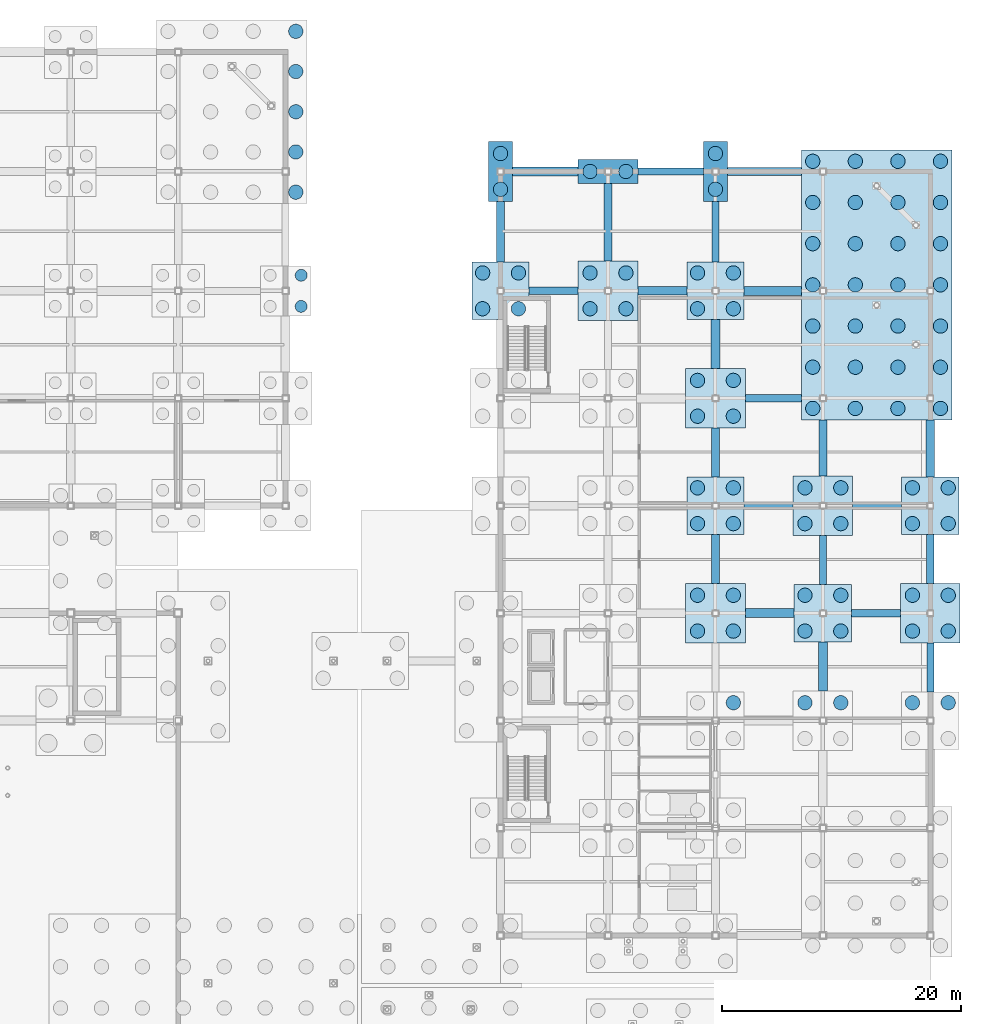
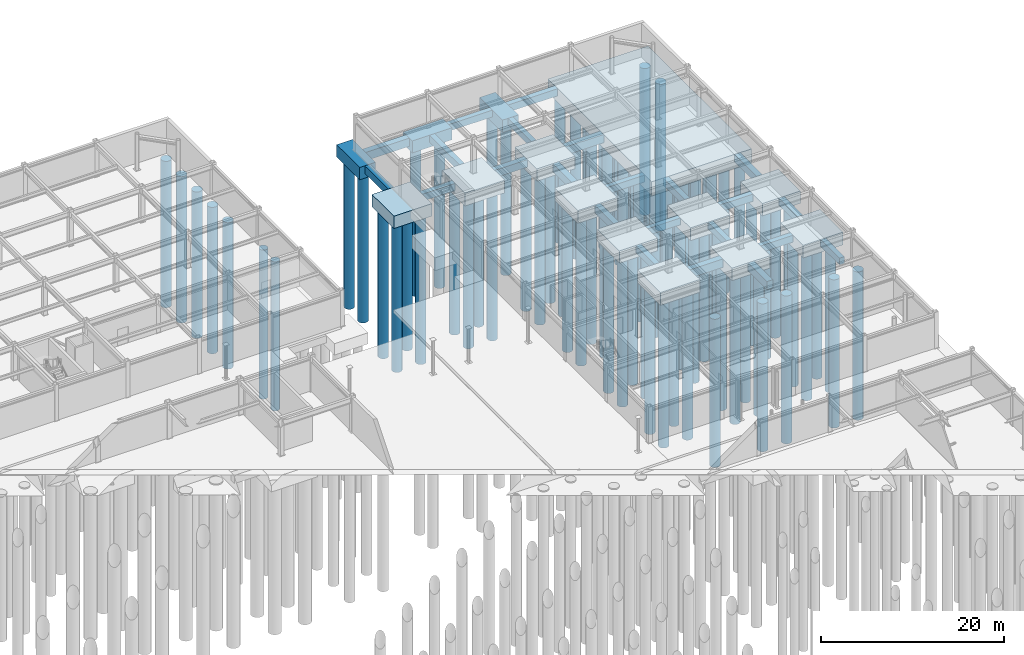
# One storey, part 11 of 74: 86 piles, 37 footings.
"""IFC4 building model written with IfcOpenShell, lengths in metres."""

from ifc_helpers import new_model, si_unit, direction, frame, origin, origin_2d, place, context, subcontext, project, spatial, polyline, rectangle, circle, outline, extrude, material, material_profile, profile_set, type_object, element, save


model = new_model("IFC4")

# Units and contexts
model_context = context("Model", 3, precision=1e-05, world=origin(), true_north=direction((0.0, 1.0)))
body_context = subcontext(model_context, "Body", "Model", "MODEL_VIEW")
ifc_project = project(units=[si_unit("LENGTHUNIT", "METRE"), si_unit("AREAUNIT", "SQUARE_METRE"), si_unit("VOLUMEUNIT", "CUBIC_METRE"), si_unit("PLANEANGLEUNIT", "RADIAN"), si_unit("MASSUNIT", "GRAM", prefix="KILO")], contexts=[model_context])

# Site, building, storey
site_placement = place(None, origin())
site = spatial("IfcSite", under=ifc_project, at=site_placement, CompositionType="ELEMENT")
building_placement = place(site_placement, origin())
building = spatial("IfcBuilding", under=site, at=building_placement, Name="Suzunagisa Mobility Hub", CompositionType="ELEMENT")
storey_placement = place(building_placement, frame((0.0, 0.0, -4.800048828125)))
storey = spatial("IfcBuildingStorey", under=building, at=storey_placement, Name="B1", CompositionType="ELEMENT", Elevation=-4.800048828125)

# Piles
ifc_material_1 = material(Name="Concrete C30/37", Category="concrete")
ifc_material_profile_1 = material_profile(ifc_material_1, circle(Radius=0.60009765625, at=origin_2d()), Name="BORED PILE D1200")
ifc_profile_set_1 = profile_set([ifc_material_profile_1], Name="Concrete C30/37")
pile_type_1 = type_object("IfcPileType", Name="Bored Pile PL-01 D1200", PredefinedType="BORED", material=ifc_profile_set_1)
for number, where, z_axis, x_axis, name in (
    (1, (126.85009765625, 106.264892578125, -2.199951171875), (0.0, 0.0, -1.0), (1.0, 0.0, 0.0), "Bored Pile 93.16"),
    (2, (126.85009765625, 109.632568359375, -2.199951171875), (0.0, 0.0, -1.0), (1.0, 0.0, 0.0), "Bored Pile 93.17"),
    (3, (126.85009765625, 113.0, -2.199951171875), (0.0, 0.0, -1.0), (1.0, 0.0, 0.0), "Bored Pile 93.18"),
    (4, (126.85009765625, 116.367431640625, -2.199951171875), (0.0, 0.0, -1.0), (1.0, 0.0, 0.0), "Bored Pile 93.19"),
    (5, (126.85009765625, 119.735107421875, -2.199951171875), (0.0, 0.0, -1.0), (1.0, 0.0, 0.0), "Bored Pile 93.20"),
):
    element("IfcPile", number, at=place(storey_placement, frame(where, z_axis=z_axis, x_axis=x_axis)), inside=storey, type_object=pile_type_1, Name=name, PredefinedType="BORED", context=body_context, shape_type="SweptSolid", body=[
        extrude(circle(Radius=0.60009765625, at=origin_2d()), origin(), (0.0, 0.0, 1.0), 19.5),
    ])
for number, where, z_axis, x_axis, name in (
    (6, (142.5, 96.5, -1.949951171875), (0.0, 0.0, -1.0), (1.0, 0.0, 0.0), "Bored Pile 107.1"),
    (7, (145.5, 96.5, -1.949951171875), (0.0, 0.0, -1.0), (1.0, 0.0, 0.0), "Bored Pile 107.2"),
    (8, (142.5, 99.5, -1.949951171875), (0.0, 0.0, -1.0), (1.0, 0.0, 0.0), "Bored Pile 107.3"),
    (9, (145.5, 99.5, -1.949951171875), (0.0, 0.0, -1.0), (1.0, 0.0, 0.0), "Bored Pile 107.4"),
    (10, (144.0, 106.5, -1.949951171875), (0.0, 0.0, -1.0), (1.0, 0.0, 0.0), "Bored Pile 108.1"),
    (11, (144.0, 109.5, -1.949951171875), (0.0, 0.0, -1.0), (1.0, 0.0, 0.0), "Bored Pile 108.2"),
):
    element("IfcPile", number, at=place(storey_placement, frame(where, z_axis=z_axis, x_axis=x_axis)), inside=storey, type_object=pile_type_1, Name=name, PredefinedType="BORED", context=body_context, shape_type="SweptSolid", body=[
        extrude(circle(Radius=0.60009765625, at=origin_2d()), origin(), (0.0, 0.0, 1.0), 19.75),
    ])
for number, where, z_axis, x_axis, name in (
    (12, (151.5, 96.5, -2.0), (0.0, 0.0, -1.0), (1.0, 0.0, 0.0), "Bored Pile 120.1"),
    (13, (154.5, 96.5, -2.0), (0.0, 0.0, -1.0), (1.0, 0.0, 0.0), "Bored Pile 120.2"),
    (14, (151.5, 99.5, -2.0), (0.0, 0.0, -1.0), (1.0, 0.0, 0.0), "Bored Pile 120.3"),
    (15, (154.5, 99.5, -2.0), (0.0, 0.0, -1.0), (1.0, 0.0, 0.0), "Bored Pile 120.4"),
):
    element("IfcPile", number, at=place(storey_placement, frame(where, z_axis=z_axis, x_axis=x_axis)), inside=storey, type_object=pile_type_1, Name=name, PredefinedType="BORED", context=body_context, shape_type="SweptSolid", body=[
        extrude(circle(Radius=0.60009765625, at=origin_2d()), origin(), (0.0, 0.0, 1.0), 19.699951171875),
    ])
for number, where, z_axis, x_axis, name in (
    (16, (151.5, 108.0, -1.89990234375), (0.0, 0.0, -1.0), (1.0, 0.0, 0.0), "Bored Pile 121.1"),
    (17, (154.5, 108.0, -1.89990234375), (0.0, 0.0, -1.0), (1.0, 0.0, 0.0), "Bored Pile 121.2"),
):
    element("IfcPile", number, at=place(storey_placement, frame(where, z_axis=z_axis, x_axis=x_axis)), inside=storey, type_object=pile_type_1, Name=name, PredefinedType="BORED", context=body_context, shape_type="SweptSolid", body=[
        extrude(circle(Radius=0.60009765625, at=origin_2d()), origin(), (0.0, 0.0, 1.0), 19.800048828125),
    ])
pile_placement = place(storey_placement, frame((163.5, 63.5, -1.949951171875), z_axis=(0.0, 0.0, -1.0), x_axis=(1.0, 0.0, 0.0)))
element("IfcPile", 18, at=pile_placement, inside=storey, type_object=pile_type_1, Name="Bored Pile 127.4", PredefinedType="BORED", context=body_context, shape_type="SweptSolid", body=[
    extrude(circle(Radius=0.60009765625, at=origin_2d()), origin(), (0.0, 0.0, 1.0), 19.75),
])
for number, where, z_axis, x_axis, name in (
    (19, (160.5, 69.5, -2.0), (0.0, 0.0, -1.0), (1.0, 0.0, 0.0), "Bored Pile 128.1"),
    (20, (163.5, 69.5, -2.0), (0.0, 0.0, -1.0), (1.0, 0.0, 0.0), "Bored Pile 128.2"),
    (21, (160.5, 72.5, -2.0), (0.0, 0.0, -1.0), (1.0, 0.0, 0.0), "Bored Pile 128.3"),
    (22, (163.5, 72.5, -2.0), (0.0, 0.0, -1.0), (1.0, 0.0, 0.0), "Bored Pile 128.4"),
):
    element("IfcPile", number, at=place(storey_placement, frame(where, z_axis=z_axis, x_axis=x_axis)), inside=storey, type_object=pile_type_1, Name=name, PredefinedType="BORED", context=body_context, shape_type="SweptSolid", body=[
        extrude(circle(Radius=0.60009765625, at=origin_2d()), origin(), (0.0, 0.0, 1.0), 19.699951171875),
    ])
for number, where, z_axis, x_axis, name in (
    (23, (160.5, 78.5, -1.949951171875), (0.0, 0.0, -1.0), (1.0, 0.0, 0.0), "Bored Pile 129.1"),
    (24, (163.5, 78.5, -1.949951171875), (0.0, 0.0, -1.0), (1.0, 0.0, 0.0), "Bored Pile 129.2"),
    (25, (160.5, 81.5, -1.949951171875), (0.0, 0.0, -1.0), (1.0, 0.0, 0.0), "Bored Pile 129.3"),
    (26, (163.5, 81.5, -1.949951171875), (0.0, 0.0, -1.0), (1.0, 0.0, 0.0), "Bored Pile 129.4"),
):
    element("IfcPile", number, at=place(storey_placement, frame(where, z_axis=z_axis, x_axis=x_axis)), inside=storey, type_object=pile_type_1, Name=name, PredefinedType="BORED", context=body_context, shape_type="SweptSolid", body=[
        extrude(circle(Radius=0.60009765625, at=origin_2d()), origin(), (0.0, 0.0, 1.0), 19.75),
    ])
for number, where, z_axis, x_axis, name in (
    (27, (160.5, 87.5, -2.0), (0.0, 0.0, -1.0), (1.0, 0.0, 0.0), "Bored Pile 130.1"),
    (28, (163.5, 87.5, -2.0), (0.0, 0.0, -1.0), (1.0, 0.0, 0.0), "Bored Pile 130.2"),
    (29, (160.5, 90.5, -2.0), (0.0, 0.0, -1.0), (1.0, 0.0, 0.0), "Bored Pile 130.3"),
    (30, (163.5, 90.5, -2.0), (0.0, 0.0, -1.0), (1.0, 0.0, 0.0), "Bored Pile 130.4"),
):
    element("IfcPile", number, at=place(storey_placement, frame(where, z_axis=z_axis, x_axis=x_axis)), inside=storey, type_object=pile_type_1, Name=name, PredefinedType="BORED", context=body_context, shape_type="SweptSolid", body=[
        extrude(circle(Radius=0.60009765625, at=origin_2d()), origin(), (0.0, 0.0, 1.0), 19.699951171875),
    ])
for number, where, z_axis, x_axis, name in (
    (31, (160.5, 96.5, -1.949951171875), (0.0, 0.0, -1.0), (1.0, 0.0, 0.0), "Bored Pile 131.1"),
    (32, (163.5, 96.5, -1.949951171875), (0.0, 0.0, -1.0), (1.0, 0.0, 0.0), "Bored Pile 131.2"),
    (33, (160.5, 99.5, -1.949951171875), (0.0, 0.0, -1.0), (1.0, 0.0, 0.0), "Bored Pile 131.3"),
    (34, (163.5, 99.5, -1.949951171875), (0.0, 0.0, -1.0), (1.0, 0.0, 0.0), "Bored Pile 131.4"),
    (35, (162.0, 106.5, -1.949951171875), (0.0, 0.0, -1.0), (1.0, 0.0, 0.0), "Bored Pile 132.1"),
    (36, (162.0, 109.5, -1.949951171875), (0.0, 0.0, -1.0), (1.0, 0.0, 0.0), "Bored Pile 132.2"),
):
    element("IfcPile", number, at=place(storey_placement, frame(where, z_axis=z_axis, x_axis=x_axis)), inside=storey, type_object=pile_type_1, Name=name, PredefinedType="BORED", context=body_context, shape_type="SweptSolid", body=[
        extrude(circle(Radius=0.60009765625, at=origin_2d()), origin(), (0.0, 0.0, 1.0), 19.75),
    ])
for number, where, z_axis, x_axis, name in (
    (37, (169.5, 63.5, -2.0), (0.0, 0.0, -1.0), (1.0, 0.0, 0.0), "Bored Pile 136.3"),
    (38, (172.5, 63.5, -2.0), (0.0, 0.0, -1.0), (1.0, 0.0, 0.0), "Bored Pile 136.4"),
):
    element("IfcPile", number, at=place(storey_placement, frame(where, z_axis=z_axis, x_axis=x_axis)), inside=storey, type_object=pile_type_1, Name=name, PredefinedType="BORED", context=body_context, shape_type="SweptSolid", body=[
        extrude(circle(Radius=0.60009765625, at=origin_2d()), origin(), (0.0, 0.0, 1.0), 19.699951171875),
    ])
for number, where, z_axis, x_axis, name in (
    (39, (169.5, 69.5, -1.949951171875), (0.0, 0.0, -1.0), (1.0, 0.0, 0.0), "Bored Pile 137.1"),
    (40, (172.5, 69.5, -1.949951171875), (0.0, 0.0, -1.0), (1.0, 0.0, 0.0), "Bored Pile 137.2"),
    (41, (169.5, 72.5, -1.949951171875), (0.0, 0.0, -1.0), (1.0, 0.0, 0.0), "Bored Pile 137.3"),
    (42, (172.5, 72.5, -1.949951171875), (0.0, 0.0, -1.0), (1.0, 0.0, 0.0), "Bored Pile 137.4"),
):
    element("IfcPile", number, at=place(storey_placement, frame(where, z_axis=z_axis, x_axis=x_axis)), inside=storey, type_object=pile_type_1, Name=name, PredefinedType="BORED", context=body_context, shape_type="SweptSolid", body=[
        extrude(circle(Radius=0.60009765625, at=origin_2d()), origin(), (0.0, 0.0, 1.0), 19.75),
    ])
for number, where, z_axis, x_axis, name in (
    (43, (169.5, 78.5, -2.0), (0.0, 0.0, -1.0), (1.0, 0.0, 0.0), "Bored Pile 138.1"),
    (44, (172.5, 78.5, -2.0), (0.0, 0.0, -1.0), (1.0, 0.0, 0.0), "Bored Pile 138.2"),
    (45, (169.5, 81.5, -2.0), (0.0, 0.0, -1.0), (1.0, 0.0, 0.0), "Bored Pile 138.3"),
    (46, (172.5, 81.5, -2.0), (0.0, 0.0, -1.0), (1.0, 0.0, 0.0), "Bored Pile 138.4"),
):
    element("IfcPile", number, at=place(storey_placement, frame(where, z_axis=z_axis, x_axis=x_axis)), inside=storey, type_object=pile_type_1, Name=name, PredefinedType="BORED", context=body_context, shape_type="SweptSolid", body=[
        extrude(circle(Radius=0.60009765625, at=origin_2d()), origin(), (0.0, 0.0, 1.0), 19.699951171875),
    ])
for number, where, z_axis, x_axis, name in (
    (47, (170.14990234375, 88.14990234375, -2.14990234375), (0.0, 0.0, -1.0), (1.0, 0.0, 0.0), "Bored Pile 139.1"),
    (48, (170.14990234375, 91.60009765625, -2.14990234375), (0.0, 0.0, -1.0), (1.0, 0.0, 0.0), "Bored Pile 139.2"),
    (49, (170.14990234375, 95.050048828125, -2.14990234375), (0.0, 0.0, -1.0), (1.0, 0.0, 0.0), "Bored Pile 139.3"),
    (50, (170.14990234375, 98.5, -2.14990234375), (0.0, 0.0, -1.0), (1.0, 0.0, 0.0), "Bored Pile 139.4"),
    (51, (170.14990234375, 101.949951171875, -2.14990234375), (0.0, 0.0, -1.0), (1.0, 0.0, 0.0), "Bored Pile 139.5"),
    (52, (170.14990234375, 105.39990234375, -2.14990234375), (0.0, 0.0, -1.0), (1.0, 0.0, 0.0), "Bored Pile 139.6"),
    (53, (170.14990234375, 108.85009765625, -2.14990234375), (0.0, 0.0, -1.0), (1.0, 0.0, 0.0), "Bored Pile 139.7"),
    (54, (173.716796875, 88.14990234375, -2.14990234375), (0.0, 0.0, -1.0), (1.0, 0.0, 0.0), "Bored Pile 139.8"),
    (55, (173.716796875, 91.60009765625, -2.14990234375), (0.0, 0.0, -1.0), (1.0, 0.0, 0.0), "Bored Pile 139.9"),
    (56, (173.716796875, 95.050048828125, -2.14990234375), (0.0, 0.0, -1.0), (1.0, 0.0, 0.0), "Bored Pile 139.10"),
    (57, (173.716796875, 98.5, -2.14990234375), (0.0, 0.0, -1.0), (1.0, 0.0, 0.0), "Bored Pile 139.11"),
    (58, (173.716796875, 101.949951171875, -2.14990234375), (0.0, 0.0, -1.0), (1.0, 0.0, 0.0), "Bored Pile 139.12"),
    (59, (173.716796875, 105.39990234375, -2.14990234375), (0.0, 0.0, -1.0), (1.0, 0.0, 0.0), "Bored Pile 139.13"),
    (60, (173.716796875, 108.85009765625, -2.14990234375), (0.0, 0.0, -1.0), (1.0, 0.0, 0.0), "Bored Pile 139.14"),
    (61, (177.283203125, 88.14990234375, -2.14990234375), (0.0, 0.0, -1.0), (1.0, 0.0, 0.0), "Bored Pile 139.15"),
    (62, (177.283203125, 91.60009765625, -2.14990234375), (0.0, 0.0, -1.0), (1.0, 0.0, 0.0), "Bored Pile 139.16"),
    (63, (177.283203125, 95.050048828125, -2.14990234375), (0.0, 0.0, -1.0), (1.0, 0.0, 0.0), "Bored Pile 139.17"),
    (64, (177.283203125, 98.5, -2.14990234375), (0.0, 0.0, -1.0), (1.0, 0.0, 0.0), "Bored Pile 139.18"),
    (65, (177.283203125, 101.949951171875, -2.14990234375), (0.0, 0.0, -1.0), (1.0, 0.0, 0.0), "Bored Pile 139.19"),
    (66, (177.283203125, 105.39990234375, -2.14990234375), (0.0, 0.0, -1.0), (1.0, 0.0, 0.0), "Bored Pile 139.20"),
    (67, (177.283203125, 108.85009765625, -2.14990234375), (0.0, 0.0, -1.0), (1.0, 0.0, 0.0), "Bored Pile 139.21"),
    (68, (180.85009765625, 88.14990234375, -2.14990234375), (0.0, 0.0, -1.0), (1.0, 0.0, 0.0), "Bored Pile 139.22"),
    (69, (180.85009765625, 91.60009765625, -2.14990234375), (0.0, 0.0, -1.0), (1.0, 0.0, 0.0), "Bored Pile 139.23"),
    (70, (180.85009765625, 95.050048828125, -2.14990234375), (0.0, 0.0, -1.0), (1.0, 0.0, 0.0), "Bored Pile 139.24"),
    (71, (180.85009765625, 98.5, -2.14990234375), (0.0, 0.0, -1.0), (1.0, 0.0, 0.0), "Bored Pile 139.25"),
    (72, (180.85009765625, 101.949951171875, -2.14990234375), (0.0, 0.0, -1.0), (1.0, 0.0, 0.0), "Bored Pile 139.26"),
    (73, (180.85009765625, 105.39990234375, -2.14990234375), (0.0, 0.0, -1.0), (1.0, 0.0, 0.0), "Bored Pile 139.27"),
    (74, (180.85009765625, 108.85009765625, -2.14990234375), (0.0, 0.0, -1.0), (1.0, 0.0, 0.0), "Bored Pile 139.28"),
):
    element("IfcPile", number, at=place(storey_placement, frame(where, z_axis=z_axis, x_axis=x_axis)), inside=storey, type_object=pile_type_1, Name=name, PredefinedType="BORED", context=body_context, shape_type="SweptSolid", body=[
        extrude(circle(Radius=0.60009765625, at=origin_2d()), origin(), (0.0, 0.0, 1.0), 19.550048828125),
    ])
for number, where, z_axis, x_axis, name in (
    (75, (178.5, 63.5, -1.949951171875), (0.0, 0.0, -1.0), (1.0, 0.0, 0.0), "Bored Pile 141.3"),
    (76, (181.5, 63.5, -1.949951171875), (0.0, 0.0, -1.0), (1.0, 0.0, 0.0), "Bored Pile 141.4"),
):
    element("IfcPile", number, at=place(storey_placement, frame(where, z_axis=z_axis, x_axis=x_axis)), inside=storey, type_object=pile_type_1, Name=name, PredefinedType="BORED", context=body_context, shape_type="SweptSolid", body=[
        extrude(circle(Radius=0.60009765625, at=origin_2d()), origin(), (0.0, 0.0, 1.0), 19.75),
    ])
for number, where, z_axis, x_axis, name in (
    (77, (178.5, 69.5, -2.0), (0.0, 0.0, -1.0), (1.0, 0.0, 0.0), "Bored Pile 142.1"),
    (78, (181.5, 69.5, -2.0), (0.0, 0.0, -1.0), (1.0, 0.0, 0.0), "Bored Pile 142.2"),
    (79, (178.5, 72.5, -2.0), (0.0, 0.0, -1.0), (1.0, 0.0, 0.0), "Bored Pile 142.3"),
    (80, (181.5, 72.5, -2.0), (0.0, 0.0, -1.0), (1.0, 0.0, 0.0), "Bored Pile 142.4"),
):
    element("IfcPile", number, at=place(storey_placement, frame(where, z_axis=z_axis, x_axis=x_axis)), inside=storey, type_object=pile_type_1, Name=name, PredefinedType="BORED", context=body_context, shape_type="SweptSolid", body=[
        extrude(circle(Radius=0.60009765625, at=origin_2d()), origin(), (0.0, 0.0, 1.0), 19.699951171875),
    ])
for number, where, z_axis, x_axis, name in (
    (81, (178.5, 78.5, -1.949951171875), (0.0, 0.0, -1.0), (1.0, 0.0, 0.0), "Bored Pile 143.1"),
    (82, (181.5, 78.5, -1.949951171875), (0.0, 0.0, -1.0), (1.0, 0.0, 0.0), "Bored Pile 143.2"),
    (83, (178.5, 81.5, -1.949951171875), (0.0, 0.0, -1.0), (1.0, 0.0, 0.0), "Bored Pile 143.3"),
    (84, (181.5, 81.5, -1.949951171875), (0.0, 0.0, -1.0), (1.0, 0.0, 0.0), "Bored Pile 143.4"),
):
    element("IfcPile", number, at=place(storey_placement, frame(where, z_axis=z_axis, x_axis=x_axis)), inside=storey, type_object=pile_type_1, Name=name, PredefinedType="BORED", context=body_context, shape_type="SweptSolid", body=[
        extrude(circle(Radius=0.60009765625, at=origin_2d()), origin(), (0.0, 0.0, 1.0), 19.75),
    ])
ifc_material_profile_2 = material_profile(ifc_material_1, circle(Radius=0.5, at=origin_2d()), Name="BORED PILE D1000")
ifc_profile_set_2 = profile_set([ifc_material_profile_2], Name="Concrete C30/37")
pile_type_2 = type_object("IfcPileType", Name="Bored Pile PL-02 D1000", PredefinedType="BORED", material=ifc_profile_set_2)
for number, where, z_axis, x_axis, name in (
    (85, (127.300048828125, 96.699951171875, -1.849853515625), (0.0, 0.0, -1.0), (1.0, 0.0, 0.0), "Bored Pile 97.2"),
    (86, (127.300048828125, 99.300048828125, -1.849853515625), (0.0, 0.0, -1.0), (1.0, 0.0, 0.0), "Bored Pile 97.4"),
):
    element("IfcPile", number, at=place(storey_placement, frame(where, z_axis=z_axis, x_axis=x_axis)), inside=storey, type_object=pile_type_2, Name=name, PredefinedType="BORED", context=body_context, shape_type="SweptSolid", body=[
        extrude(circle(Radius=0.5, at=origin_2d()), origin(), (0.0, 0.0, 1.0), 19.85009765625),
    ])

# Footings
ifc_material_2 = material(Name="Concrete C35/45", Category="concrete")
footing_type_1 = type_object("IfcFootingType", Name="Combined Prow Pile Cap FR-25 12600x22600x1850", PredefinedType="PILE_CAP", material=ifc_material_2)
footing_1_placement = place(storey_placement, frame((175.5, 98.5, -2.300048828125), z_axis=(0.0, 0.0, 1.0), x_axis=(1.0, 0.0, 0.0)))
element("IfcFooting", 87, at=footing_1_placement, inside=storey, type_object=footing_type_1, Name="Combined Prow Pile Cap 139", PredefinedType="PILE_CAP", context=body_context, shape_type="SweptSolid", body=[
    extrude(rectangle(XDim=12.60009765625, YDim=22.60009765625, at=origin_2d()), origin(), (0.0, 0.0, 1.0), 1.85009765625),
])
footing_type_2 = type_object("IfcFootingType", Name="Ground Tie Beam FT-03 750x1100", PredefinedType="FOOTING_BEAM", material=ifc_material_2)
footing_2_placement = place(storey_placement, frame((0.0, 0.0, -1.550048828125)))
element("IfcFooting", 88, at=footing_2_placement, inside=storey, type_object=footing_type_2, Name="Foundation Tie Beam TBX-88", PredefinedType="FOOTING_BEAM", context=body_context, shape_type="SweptSolid", body=[
    extrude(outline(polyline([(164.5, 70.625), (168.60009765625, 70.625), (168.60009765625, 71.375), (164.5, 71.375), (164.5, 70.625)])), origin(), (0.0, 0.0, 1.0), 1.10009765625),
])
footing_3_placement = place(storey_placement, frame((0.0, 0.0, -1.550048828125)))
element("IfcFooting", 89, at=footing_3_placement, inside=storey, type_object=footing_type_2, Name="Foundation Tie Beam TBX-128", PredefinedType="FOOTING_BEAM", context=body_context, shape_type="SweptSolid", body=[
    extrude(outline(polyline([(164.39990234375, 97.625), (169.199951171875, 97.625), (169.199951171875, 98.375), (164.39990234375, 98.375), (164.39990234375, 97.625)])), origin(), (0.0, 0.0, 1.0), 1.10009765625),
])
footing_4_placement = place(storey_placement, frame((0.0, 0.0, -1.550048828125)))
element("IfcFooting", 90, at=footing_4_placement, inside=storey, type_object=footing_type_2, Name="Foundation Tie Beam TBX-136", PredefinedType="FOOTING_BEAM", context=body_context, shape_type="SweptSolid", body=[
    extrude(outline(polyline([(145.0, 107.625), (150.5, 107.625), (150.5, 108.375), (145.0, 108.375), (145.0, 107.625)])), origin(), (0.0, 0.0, 1.0), 1.10009765625),
])
footing_5_placement = place(storey_placement, frame((0.0, 0.0, -1.550048828125)))
element("IfcFooting", 91, at=footing_5_placement, inside=storey, type_object=footing_type_2, Name="Foundation Tie Beam TBY-252", PredefinedType="FOOTING_BEAM", context=body_context, shape_type="SweptSolid", body=[
    extrude(outline(polyline([(161.625, 91.5), (162.375, 91.5), (162.375, 95.60009765625), (161.625, 95.60009765625), (161.625, 91.5)])), origin(), (0.0, 0.0, 1.0), 1.10009765625),
])
footing_6_placement = place(storey_placement, frame((0.0, 0.0, -1.550048828125)))
element("IfcFooting", 92, at=footing_6_placement, inside=storey, type_object=footing_type_2, Name="Foundation Tie Beam TBY-256", PredefinedType="FOOTING_BEAM", context=body_context, shape_type="SweptSolid", body=[
    extrude(outline(polyline([(170.625, 64.5), (171.375, 64.5), (171.375, 68.60009765625), (170.625, 68.60009765625), (170.625, 64.5)])), origin(), (0.0, 0.0, 1.0), 1.10009765625),
])
footing_type_3 = type_object("IfcFootingType", Name="Ground Tie Beam FT-05 600x900", PredefinedType="FOOTING_BEAM", material=ifc_material_2)
footing_7_placement = place(storey_placement, frame((0.0, 0.0, -1.349853515625)))
element("IfcFooting", 93, at=footing_7_placement, inside=storey, type_object=footing_type_3, Name="Foundation Tie Beam TBX-89", PredefinedType="FOOTING_BEAM", context=body_context, shape_type="SweptSolid", body=[
    extrude(outline(polyline([(173.39990234375, 70.699951171875), (177.5, 70.699951171875), (177.5, 71.300048828125), (173.39990234375, 71.300048828125), (173.39990234375, 70.699951171875)])), origin(), (0.0, 0.0, 1.0), 0.89990234375),
])
footing_8_placement = place(storey_placement, frame((0.0, 0.0, -1.349853515625)))
element("IfcFooting", 94, at=footing_8_placement, inside=storey, type_object=footing_type_3, Name="Foundation Tie Beam TBX-101", PredefinedType="FOOTING_BEAM", context=body_context, shape_type="SweptSolid", body=[
    extrude(outline(polyline([(164.39990234375, 79.699951171875), (168.5, 79.699951171875), (168.5, 80.300048828125), (164.39990234375, 80.300048828125), (164.39990234375, 79.699951171875)])), origin(), (0.0, 0.0, 1.0), 0.89990234375),
])
footing_9_placement = place(storey_placement, frame((0.0, 0.0, -1.349853515625)))
element("IfcFooting", 95, at=footing_9_placement, inside=storey, type_object=footing_type_3, Name="Foundation Tie Beam TBX-113", PredefinedType="FOOTING_BEAM", context=body_context, shape_type="SweptSolid", body=[
    extrude(outline(polyline([(164.5, 88.699951171875), (169.199951171875, 88.699951171875), (169.199951171875, 89.300048828125), (164.5, 89.300048828125), (164.5, 88.699951171875)])), origin(), (0.0, 0.0, 1.0), 0.89990234375),
])
footing_10_placement = place(storey_placement, frame((0.0, 0.0, -1.349853515625)))
element("IfcFooting", 96, at=footing_10_placement, inside=storey, type_object=footing_type_3, Name="Foundation Tie Beam TBX-137", PredefinedType="FOOTING_BEAM", context=body_context, shape_type="SweptSolid", body=[
    extrude(outline(polyline([(155.5, 107.699951171875), (161.0, 107.699951171875), (161.0, 108.300048828125), (155.5, 108.300048828125), (155.5, 107.699951171875)])), origin(), (0.0, 0.0, 1.0), 0.89990234375),
])
footing_11_placement = place(storey_placement, frame((0.0, 0.0, -1.349853515625)))
element("IfcFooting", 97, at=footing_11_placement, inside=storey, type_object=footing_type_3, Name="Foundation Tie Beam TBY-253", PredefinedType="FOOTING_BEAM", context=body_context, shape_type="SweptSolid", body=[
    extrude(outline(polyline([(161.699951171875, 100.39990234375), (162.300048828125, 100.39990234375), (162.300048828125, 105.5), (161.699951171875, 105.5), (161.699951171875, 100.39990234375)])), origin(), (0.0, 0.0, 1.0), 0.89990234375),
])
footing_12_placement = place(storey_placement, frame((0.0, 0.0, -1.349853515625)))
element("IfcFooting", 98, at=footing_12_placement, inside=storey, type_object=footing_type_3, Name="Foundation Tie Beam TBY-257", PredefinedType="FOOTING_BEAM", context=body_context, shape_type="SweptSolid", body=[
    extrude(outline(polyline([(170.699951171875, 73.39990234375), (171.300048828125, 73.39990234375), (171.300048828125, 77.5), (170.699951171875, 77.5), (170.699951171875, 73.39990234375)])), origin(), (0.0, 0.0, 1.0), 0.89990234375),
])
footing_13_placement = place(storey_placement, frame((0.0, 0.0, -1.349853515625)))
element("IfcFooting", 99, at=footing_13_placement, inside=storey, type_object=footing_type_3, Name="Foundation Tie Beam TBY-261", PredefinedType="FOOTING_BEAM", context=body_context, shape_type="SweptSolid", body=[
    extrude(outline(polyline([(179.699951171875, 64.39990234375), (180.300048828125, 64.39990234375), (180.300048828125, 68.5), (179.699951171875, 68.5), (179.699951171875, 64.39990234375)])), origin(), (0.0, 0.0, 1.0), 0.89990234375),
])
footing_type_4 = type_object("IfcFootingType", Name="Ground Tie Beam FT-07 650x950", PredefinedType="FOOTING_BEAM", material=ifc_material_2)
footing_14_placement = place(storey_placement, frame((0.0, 0.0, -1.39990234375)))
element("IfcFooting", 100, at=footing_14_placement, inside=storey, type_object=footing_type_4, Name="Foundation Tie Beam TBX-102", PredefinedType="FOOTING_BEAM", context=body_context, shape_type="SweptSolid", body=[
    extrude(outline(polyline([(173.5, 79.675048828125), (177.60009765625, 79.675048828125), (177.60009765625, 80.324951171875), (173.5, 80.324951171875), (173.5, 79.675048828125)])), origin(), (0.0, 0.0, 1.0), 0.949951171875),
])
footing_15_placement = place(storey_placement, frame((0.0, 0.0, -1.39990234375)))
element("IfcFooting", 101, at=footing_15_placement, inside=storey, type_object=footing_type_4, Name="Foundation Tie Beam TBX-126", PredefinedType="FOOTING_BEAM", context=body_context, shape_type="SweptSolid", body=[
    extrude(outline(polyline([(146.39990234375, 97.675048828125), (150.5, 97.675048828125), (150.5, 98.324951171875), (146.39990234375, 98.324951171875), (146.39990234375, 97.675048828125)])), origin(), (0.0, 0.0, 1.0), 0.949951171875),
])
footing_16_placement = place(storey_placement, frame((0.0, 0.0, -1.39990234375)))
element("IfcFooting", 102, at=footing_16_placement, inside=storey, type_object=footing_type_4, Name="Foundation Tie Beam TBX-138", PredefinedType="FOOTING_BEAM", context=body_context, shape_type="SweptSolid", body=[
    extrude(outline(polyline([(163.0, 107.675048828125), (169.199951171875, 107.675048828125), (169.199951171875, 108.324951171875), (163.0, 108.324951171875), (163.0, 107.675048828125)])), origin(), (0.0, 0.0, 1.0), 0.949951171875),
])
footing_17_placement = place(storey_placement, frame((0.0, 0.0, -1.39990234375)))
element("IfcFooting", 103, at=footing_17_placement, inside=storey, type_object=footing_type_4, Name="Foundation Tie Beam TBY-242", PredefinedType="FOOTING_BEAM", context=body_context, shape_type="SweptSolid", body=[
    extrude(outline(polyline([(152.675048828125, 100.5), (153.324951171875, 100.5), (153.324951171875, 107.0), (152.675048828125, 107.0), (152.675048828125, 100.5)])), origin(), (0.0, 0.0, 1.0), 0.949951171875),
])
footing_18_placement = place(storey_placement, frame((0.0, 0.0, -1.39990234375)))
element("IfcFooting", 104, at=footing_18_placement, inside=storey, type_object=footing_type_4, Name="Foundation Tie Beam TBY-250", PredefinedType="FOOTING_BEAM", context=body_context, shape_type="SweptSolid", body=[
    extrude(outline(polyline([(161.675048828125, 73.5), (162.324951171875, 73.5), (162.324951171875, 77.60009765625), (161.675048828125, 77.60009765625), (161.675048828125, 73.5)])), origin(), (0.0, 0.0, 1.0), 0.949951171875),
])
footing_19_placement = place(storey_placement, frame((0.0, 0.0, -1.39990234375)))
element("IfcFooting", 105, at=footing_19_placement, inside=storey, type_object=footing_type_4, Name="Foundation Tie Beam TBY-258", PredefinedType="FOOTING_BEAM", context=body_context, shape_type="SweptSolid", body=[
    extrude(outline(polyline([(170.675048828125, 82.5), (171.324951171875, 82.5), (171.324951171875, 87.199951171875), (170.675048828125, 87.199951171875), (170.675048828125, 82.5)])), origin(), (0.0, 0.0, 1.0), 0.949951171875),
])
footing_20_placement = place(storey_placement, frame((0.0, 0.0, -1.39990234375)))
element("IfcFooting", 106, at=footing_20_placement, inside=storey, type_object=footing_type_4, Name="Foundation Tie Beam TBY-262", PredefinedType="FOOTING_BEAM", context=body_context, shape_type="SweptSolid", body=[
    extrude(outline(polyline([(179.675048828125, 73.5), (180.324951171875, 73.5), (180.324951171875, 77.60009765625), (179.675048828125, 77.60009765625), (179.675048828125, 73.5)])), origin(), (0.0, 0.0, 1.0), 0.949951171875),
])
footing_type_5 = type_object("IfcFootingType", Name="Ground Tie Beam FT-23 700x1000", PredefinedType="FOOTING_BEAM", material=ifc_material_2)
footing_21_placement = place(storey_placement, frame((0.0, 0.0, -1.449951171875)))
element("IfcFooting", 107, at=footing_21_placement, inside=storey, type_object=footing_type_5, Name="Foundation Tie Beam TBX-127", PredefinedType="FOOTING_BEAM", context=body_context, shape_type="SweptSolid", body=[
    extrude(outline(polyline([(155.5, 97.64990234375), (159.60009765625, 97.64990234375), (159.60009765625, 98.35009765625), (155.5, 98.35009765625), (155.5, 97.64990234375)])), origin(), (0.0, 0.0, 1.0), 1.0),
])
footing_22_placement = place(storey_placement, frame((0.0, 0.0, -1.449951171875)))
element("IfcFooting", 108, at=footing_22_placement, inside=storey, type_object=footing_type_5, Name="Foundation Tie Beam TBY-231", PredefinedType="FOOTING_BEAM", context=body_context, shape_type="SweptSolid", body=[
    extrude(outline(polyline([(143.64990234375, 100.39990234375), (144.35009765625, 100.39990234375), (144.35009765625, 105.5), (143.64990234375, 105.5), (143.64990234375, 100.39990234375)])), origin(), (0.0, 0.0, 1.0), 1.0),
])
footing_23_placement = place(storey_placement, frame((0.0, 0.0, -1.449951171875)))
element("IfcFooting", 109, at=footing_23_placement, inside=storey, type_object=footing_type_5, Name="Foundation Tie Beam TBY-251", PredefinedType="FOOTING_BEAM", context=body_context, shape_type="SweptSolid", body=[
    extrude(outline(polyline([(161.64990234375, 82.39990234375), (162.35009765625, 82.39990234375), (162.35009765625, 86.5), (161.64990234375, 86.5), (161.64990234375, 82.39990234375)])), origin(), (0.0, 0.0, 1.0), 1.0),
])
footing_24_placement = place(storey_placement, frame((0.0, 0.0, -1.449951171875)))
element("IfcFooting", 110, at=footing_24_placement, inside=storey, type_object=footing_type_5, Name="Foundation Tie Beam TBY-263", PredefinedType="FOOTING_BEAM", context=body_context, shape_type="SweptSolid", body=[
    extrude(outline(polyline([(179.64990234375, 82.39990234375), (180.35009765625, 82.39990234375), (180.35009765625, 87.199951171875), (179.64990234375, 87.199951171875), (179.64990234375, 82.39990234375)])), origin(), (0.0, 0.0, 1.0), 1.0),
])
footing_type_6 = type_object("IfcFootingType", Name="Pile Cap FT-01 5000x5000x1700", PredefinedType="PILE_CAP", material=ifc_material_2)
for number, where, z_axis, x_axis, name in (
    (111, (153.0, 98.0, -2.14990234375), (0.0, 0.0, 1.0), (1.0, 0.0, 0.0), "Pile Cap 120"),
    (112, (162.0, 71.0, -2.14990234375), (0.0, 0.0, 1.0), (1.0, 0.0, 0.0), "Pile Cap 128"),
    (113, (162.0, 89.0, -2.14990234375), (0.0, 0.0, 1.0), (1.0, 0.0, 0.0), "Pile Cap 130"),
    (114, (171.0, 80.0, -2.14990234375), (0.0, 0.0, 1.0), (1.0, 0.0, 0.0), "Pile Cap 138"),
    (115, (180.0, 71.0, -2.14990234375), (0.0, 0.0, 1.0), (1.0, 0.0, 0.0), "Pile Cap 142"),
):
    element("IfcFooting", number, at=place(storey_placement, frame(where, z_axis=z_axis, x_axis=x_axis)), inside=storey, type_object=footing_type_6, Name=name, PredefinedType="PILE_CAP", context=body_context, shape_type="SweptSolid", body=[
        extrude(rectangle(XDim=5.0, YDim=5.0, at=origin_2d()), origin(), (0.0, 0.0, 1.0), 1.699951171875),
    ])
footing_type_7 = type_object("IfcFootingType", Name="Pile Cap FT-06 5000x2000x1600", PredefinedType="PILE_CAP", material=ifc_material_2)
footing_25_placement = place(storey_placement, frame((153.0, 108.0, -2.050048828125), z_axis=(0.0, 0.0, 1.0), x_axis=(1.0, 0.0, 0.0)))
element("IfcFooting", 116, at=footing_25_placement, inside=storey, type_object=footing_type_7, Name="Pile Cap 121", PredefinedType="PILE_CAP", context=body_context, shape_type="SweptSolid", body=[
    extrude(rectangle(XDim=5.0, YDim=2.0, at=origin_2d()), origin(), (0.0, 0.0, 1.0), 1.60009765625),
])
footing_type_8 = type_object("IfcFootingType", Name="Pile Cap FT-12 2000x5000x1650", PredefinedType="PILE_CAP", material=ifc_material_2)
for number, where, z_axis, x_axis, name in (
    (117, (144.0, 108.0, -2.099853515625), (0.0, 0.0, 1.0), (1.0, 0.0, 0.0), "Pile Cap 108"),
    (118, (162.0, 108.0, -2.099853515625), (0.0, 0.0, 1.0), (1.0, 0.0, 0.0), "Pile Cap 132"),
):
    element("IfcFooting", number, at=place(storey_placement, frame(where, z_axis=z_axis, x_axis=x_axis)), inside=storey, type_object=footing_type_8, Name=name, PredefinedType="PILE_CAP", context=body_context, shape_type="SweptSolid", body=[
        extrude(rectangle(XDim=2.0, YDim=5.0, at=origin_2d()), origin(), (0.0, 0.0, 1.0), 1.64990234375),
    ])
footing_type_9 = type_object("IfcFootingType", Name="Pile Cap FT-14 4800x4800x1650", PredefinedType="PILE_CAP", material=ifc_material_2)
for number, where, z_axis, x_axis, name in (
    (119, (144.0, 98.0, -2.099853515625), (0.0, 0.0, 1.0), (1.0, 0.0, 0.0), "Pile Cap 107"),
    (120, (162.0, 80.0, -2.099853515625), (0.0, 0.0, 1.0), (1.0, 0.0, 0.0), "Pile Cap 129"),
    (121, (162.0, 98.0, -2.099853515625), (0.0, 0.0, 1.0), (1.0, 0.0, 0.0), "Pile Cap 131"),
    (122, (171.0, 71.0, -2.099853515625), (0.0, 0.0, 1.0), (1.0, 0.0, 0.0), "Pile Cap 137"),
    (123, (180.0, 80.0, -2.099853515625), (0.0, 0.0, 1.0), (1.0, 0.0, 0.0), "Pile Cap 143"),
):
    element("IfcFooting", number, at=place(storey_placement, frame(where, z_axis=z_axis, x_axis=x_axis)), inside=storey, type_object=footing_type_9, Name=name, PredefinedType="PILE_CAP", context=body_context, shape_type="SweptSolid", body=[
        extrude(rectangle(XDim=4.800048828125, YDim=4.800048828125, at=origin_2d()), origin(), (0.0, 0.0, 1.0), 1.64990234375),
    ])

save(model, "model.ifc")
